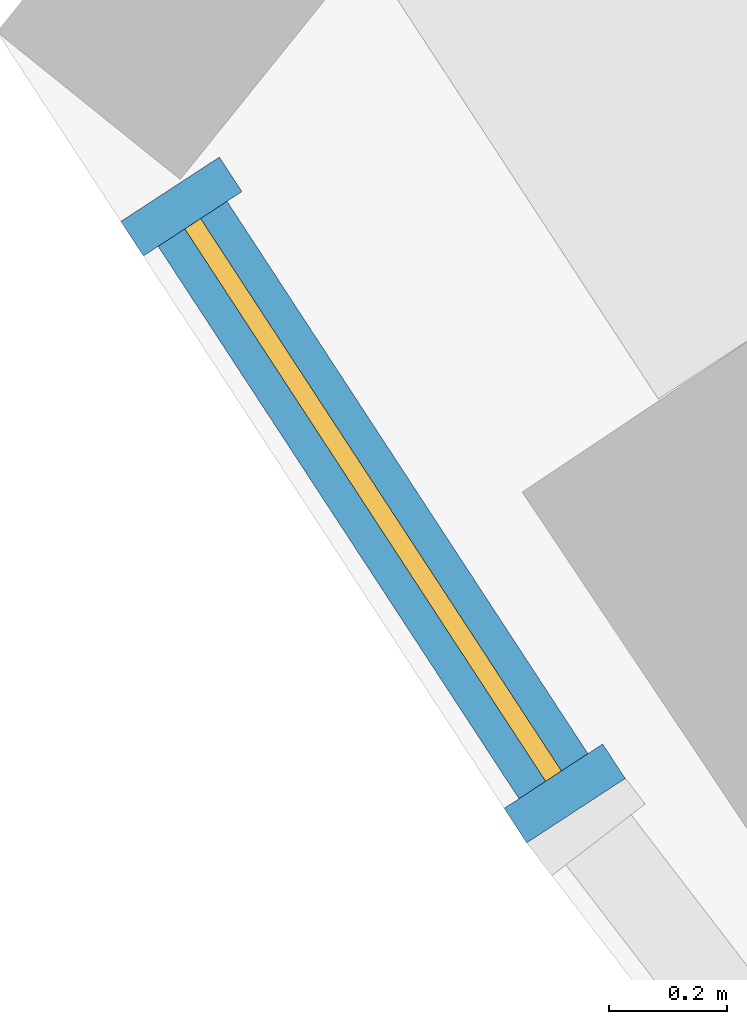
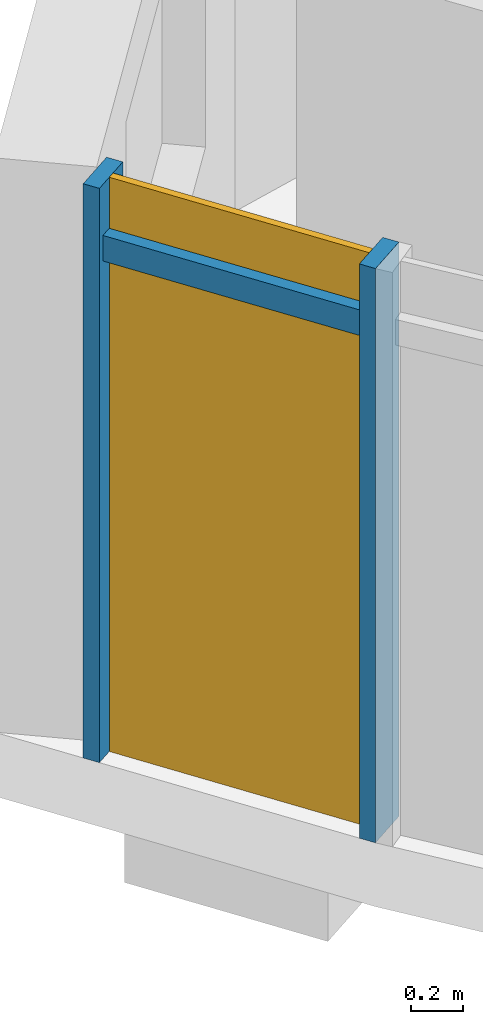
# One storey, part 18 of 30: 3 members, 1 curtain wall.
"""IFC4 building model written with IfcOpenShell, lengths in metres."""

import ifcopenshell
import ifcopenshell.guid

model = None  # the IFC model being written
_history = None  # IfcOwnerHistory: only IFC2X3 demands one
_inside = {}  # id of a spatial element -> (the spatial element, [elements in it])
_under = {}  # id of a project, library or spatial element -> (it, [spatial elements below it])
_declared = {}  # id of a project -> (the project, [libraries it declares])
_typed = {}  # id of a type object -> (the type object, [elements of that type])
_made_of = {}  # id of a material, layer set ... -> (it, [elements and type objects made of it])


def new_model(schema):
    """Start an empty IFC model of exactly this schema.

    Asked for "IFC4X3", IfcOpenShell would pick the latest addendum, in which some entities
    have other attributes; the version numbers below select the first issue.
    IFC2X3 requires an IfcOwnerHistory on every rooted entity: one is made here for all.
    """
    global model, _history
    if schema == "IFC4X3":
        model = ifcopenshell.file(schema_version=(4, 3, 0, 0))
    else:
        model = ifcopenshell.file(schema=schema)
    _inside.clear()
    _under.clear()
    _declared.clear()
    _typed.clear()
    _made_of.clear()
    _history = None
    if model.schema == "IFC2X3":
        org = make("IfcOrganization", Name="unknown")
        user = make(
            "IfcPersonAndOrganization",
            ThePerson=make("IfcPerson", FamilyName="unknown"),
            TheOrganization=org,
        )
        app = make(
            "IfcApplication",
            ApplicationDeveloper=org,
            Version="unknown",
            ApplicationFullName="unknown",
            ApplicationIdentifier="unknown",
        )
        _history = make(
            "IfcOwnerHistory",
            OwningUser=user,
            OwningApplication=app,
            ChangeAction="ADDED",
            CreationDate=0,
        )
    return model


def make(cls, **values):
    """One entity of the class cls with the attributes given. An attribute that is None is left unset."""
    return model.create_entity(
        cls, **{name: value for name, value in values.items() if value is not None}
    )


def rooted(cls, **values):
    """An entity with a GlobalId (a new one), such as an element, a storey or a relation."""
    return make(cls, GlobalId=ifcopenshell.guid.new(), OwnerHistory=_history, **values)


def si_unit(unit_type, name, prefix=None):
    """IfcSIUnit, for example si_unit("LENGTHUNIT", "METRE", prefix="MILLI")."""
    return make("IfcSIUnit", UnitType=unit_type, Prefix=prefix, Name=name)


def assignment(units):
    """IfcUnitAssignment: the units of a project."""
    return None if units is None else make("IfcUnitAssignment", Units=units)


def point(xyz):
    """IfcCartesianPoint."""
    return None if xyz is None else make("IfcCartesianPoint", Coordinates=xyz)


def direction(xyz):
    """IfcDirection."""
    return None if xyz is None else make("IfcDirection", DirectionRatios=xyz)


def frame(location, z_axis=None, x_axis=None):
    """IfcAxis2Placement3D, a coordinate frame: its origin and axes. An axis left out is left unset."""
    return make(
        "IfcAxis2Placement3D",
        Location=point(location),
        Axis=direction(z_axis),
        RefDirection=direction(x_axis),
    )


def frame_2d(location, x_axis=None):
    """IfcAxis2Placement2D, a coordinate frame in the plane: its origin and x axis."""
    return make(
        "IfcAxis2Placement2D", Location=point(location), RefDirection=direction(x_axis)
    )


def origin():
    """The frame at (0, 0, 0) with its axes left unset."""
    return frame((0.0, 0.0, 0.0))


def origin_2d():
    """The frame at (0, 0) in the plane with its x axis left unset."""
    return frame_2d((0.0, 0.0))


def place(relative_to, where):
    """IfcLocalPlacement: puts the frame where relative to a parent placement (None: the world)."""
    return make(
        "IfcLocalPlacement", PlacementRelTo=relative_to, RelativePlacement=where
    )


def context(
    kind, dimensions, precision=None, world=None, true_north=None, identifier=None
):
    """IfcGeometricRepresentationContext, for example the 3D "Model" context."""
    return make(
        "IfcGeometricRepresentationContext",
        ContextIdentifier=identifier,
        ContextType=kind,
        CoordinateSpaceDimension=dimensions,
        Precision=precision,
        WorldCoordinateSystem=world,
        TrueNorth=true_north,
    )


def subcontext(parent, identifier, kind, view, scale=None):
    """IfcGeometricRepresentationSubContext, for example "Body" below "Model"."""
    return make(
        "IfcGeometricRepresentationSubContext",
        ContextIdentifier=identifier,
        ContextType=kind,
        ParentContext=parent,
        TargetScale=scale,
        TargetView=view,
    )


def project(units=None, contexts=None):
    """IfcProject with its units and contexts."""
    return rooted(
        "IfcProject",
        Name="project",
        RepresentationContexts=contexts,
        UnitsInContext=assignment(units),
    )


def spatial(cls, under=None, at=None, **own):
    """A site, building, storey or space (cls), placed at a placement, below another one or the project."""
    s = rooted(cls, ObjectPlacement=at, **own)
    if under is not None:
        _under.setdefault(under.id(), (under, []))[1].append(s)
    return s


def profile(cls, at=None, kind="AREA", **sizes):
    """A parametric profile (cls). Its sizes go by their IFC names, for example OverallWidth=200.0."""
    return make(cls, ProfileType=kind, Position=at, **sizes)


def rectangle(**sizes):
    """IfcRectangleProfileDef."""
    return profile("IfcRectangleProfileDef", **sizes)


def extrude(swept, where, along, depth):
    """IfcExtrudedAreaSolid: the profile swept, set in the frame where, extruded along a direction by depth."""
    return make(
        "IfcExtrudedAreaSolid",
        SweptArea=swept,
        Position=where,
        ExtrudedDirection=direction(along),
        Depth=depth,
    )


def shape(context_of_items, identifier, shape_type, items):
    """IfcShapeRepresentation: the items that make up one representation, for example the "Body"."""
    return make(
        "IfcShapeRepresentation",
        ContextOfItems=context_of_items,
        RepresentationIdentifier=identifier,
        RepresentationType=shape_type,
        Items=items,
    )


def material(Name=None, Category=None):
    """IfcMaterial."""
    return make("IfcMaterial", Name=Name, Category=Category)


def material_profile(
    of_material, cross_section, Name=None, Category=None, Priority=None
):
    """IfcMaterialProfile: a cross section and its material."""
    return make(
        "IfcMaterialProfile",
        Name=Name,
        Material=of_material,
        Profile=cross_section,
        Priority=Priority,
        Category=Category,
    )


def profile_set(profiles, Name=None, composite=None):
    """IfcMaterialProfileSet."""
    return make(
        "IfcMaterialProfileSet",
        Name=Name,
        MaterialProfiles=profiles,
        CompositeProfile=composite,
    )


def made_of(thing, what):
    """Note that an element or type object is made of a material, layer set ...; save() writes the relation."""
    if what is not None:
        _made_of.setdefault(what.id(), (what, []))[1].append(thing)
    return thing


def type_object(cls, material=None, **own):
    """A type object (cls), such as IfcWallType, which elements share."""
    return made_of(rooted(cls, **own), material)


def element(
    cls,
    number,
    at=None,
    inside=None,
    cuts=None,
    type_object=None,
    material=None,
    context=None,
    identifier="Body",
    shape_type=None,
    held_by="IfcProductDefinitionShape",
    body=None,
    shapes=None,
    **own,
):
    """One element of the class cls, such as IfcWall. Its Tag is "e" and its number.

    at: its placement. inside: the storey or other place that contains it. cuts: it is an
    opening in that element (IfcRelVoidsElement). A single representation is given by context,
    identifier, shape_type and body (its items); several are given by shapes. held_by: the class
    of the entity that holds the representations. save() writes the other relations.
    """
    e = rooted(cls, Tag="e%d" % number, ObjectPlacement=at, **own)
    if body is not None:
        shapes = [shape(context, identifier, shape_type, body)]
    if shapes is not None:
        e.Representation = make(held_by, Representations=shapes)
    if inside is not None:
        _inside.setdefault(inside.id(), (inside, []))[1].append(e)
    if cuts is not None:
        rooted(
            "IfcRelVoidsElement", RelatingBuildingElement=cuts, RelatedOpeningElement=e
        )
    if type_object is not None:
        _typed.setdefault(type_object.id(), (type_object, []))[1].append(e)
    return made_of(e, material)


def aggregate(whole, parts):
    """IfcRelAggregates: a whole, such as a stair, and the parts it consists of."""
    return rooted("IfcRelAggregates", RelatingObject=whole, RelatedObjects=parts)


def save(model, path):
    """Write the relations noted so far, then the file.

    IfcRelAggregates (storeys below a building ...), IfcRelContainedInSpatialStructure (elements
    in a storey), IfcRelDefinesByType, IfcRelAssociatesMaterial and IfcRelDeclares: one each for
    every whole, place, type object, material and project.
    """
    for whole, parts in _under.values():
        aggregate(whole, parts)
    for where, things in _inside.values():
        rooted(
            "IfcRelContainedInSpatialStructure",
            RelatedElements=things,
            RelatingStructure=where,
        )
    for kind, things in _typed.values():
        rooted("IfcRelDefinesByType", RelatedObjects=things, RelatingType=kind)
    for what, things in _made_of.values():
        rooted("IfcRelAssociatesMaterial", RelatedObjects=things, RelatingMaterial=what)
    for by, libraries in _declared.values():
        rooted("IfcRelDeclares", RelatingContext=by, RelatedDefinitions=libraries)
    model.write(path)


model = new_model("IFC4")

# Units and contexts
model_context = context("Model", 3, precision=1e-05, world=origin(), true_north=direction((0.0, 1.0)))
body_context = subcontext(model_context, "Body", "Model", "MODEL_VIEW")
ifc_project = project(units=[si_unit("LENGTHUNIT", "METRE"), si_unit("AREAUNIT", "SQUARE_METRE"), si_unit("VOLUMEUNIT", "CUBIC_METRE"), si_unit("PLANEANGLEUNIT", "RADIAN"), si_unit("MASSUNIT", "GRAM", prefix="KILO")], contexts=[model_context])

# Member
ifc_material = material(Name="Aluminium 6063-T6 anodised", Category="aluminium")
ifc_material_profile_1 = material_profile(ifc_material, rectangle(XDim=0.199951171875, YDim=0.070068359375, at=origin_2d()))
ifc_profile_set_1 = profile_set([ifc_material_profile_1], Name="Aluminium 6063-T6 anodised")
member_type_1 = type_object("IfcMemberType", Name="Mullion 70 x 200 aluminium", PredefinedType="MULLION", material=ifc_profile_set_1)
site_placement = place(None, origin())
building_placement = place(site_placement, origin())
storey_placement = place(building_placement, frame((0.0, 0.0, 203.699951171875)))
member_1_placement = place(storey_placement, frame((-65.982421875, -42.613525390625, 0.0), z_axis=(0.0, 0.0, 1.0), x_axis=(0.837241833838, 0.546832800472, 0.0)))
member_1 = element("IfcMember", 1, at=member_1_placement, type_object=member_type_1, Name="e-cw1-L48-out00/M00", PredefinedType="MULLION", context=body_context, shape_type="SweptSolid", body=[
    extrude(rectangle(XDim=0.199951171875, YDim=0.070068359375, at=origin_2d()), origin(), (0.0, 0.0, 1.0), 2.699951171875),
])

member_2_placement = place(storey_placement, frame((-65.33056640625, -43.611572265625, 0.0), z_axis=(0.0, 0.0, 1.0), x_axis=(0.837241833838, 0.546832800472, 0.0)))
member_2 = element("IfcMember", 2, at=member_2_placement, type_object=member_type_1, Name="e-cw1-L48-out00/M01", PredefinedType="MULLION", context=body_context, shape_type="SweptSolid", body=[
    extrude(rectangle(XDim=0.199951171875, YDim=0.070068359375, at=origin_2d()), origin(), (0.0, 0.0, 1.0), 2.699951171875),
])

ifc_material_profile_2 = material_profile(ifc_material, rectangle(XDim=0.139892578125, YDim=0.1201171875, at=origin_2d()))
ifc_profile_set_2 = profile_set([ifc_material_profile_2], Name="Aluminium 6063-T6 anodised")
member_type_2 = type_object("IfcMemberType", Name="Transom 120 x 140 aluminium", PredefinedType="USERDEFINED", material=ifc_profile_set_2)
member_3_placement = place(storey_placement, frame((-65.96337890625, -42.642822265625, 2.400146484375), z_axis=(0.546944517978, -0.837168856476, 0.0), x_axis=(0.837168856476, 0.546944517978, 0.0)))
member_3 = element("IfcMember", 3, at=member_3_placement, type_object=member_type_2, Name="e-cw1-L48-out00/T00", ObjectType="TRANSOM", PredefinedType="USERDEFINED", context=body_context, shape_type="SweptSolid", body=[
    extrude(rectangle(XDim=0.139892578125, YDim=0.1201171875, at=origin_2d()), origin(), (0.0, 0.0, 1.0), 1.1220703125),
])

# Site, building, storey
site = spatial("IfcSite", under=ifc_project, at=site_placement, CompositionType="ELEMENT")
building = spatial("IfcBuilding", under=site, at=building_placement, Name="Qamariyya Broadcast Tower", CompositionType="ELEMENT")
storey = spatial("IfcBuildingStorey", under=building, at=storey_placement, Name="L48", CompositionType="ELEMENT", Elevation=203.699951171875)

# Curtain wall
curtain_wall_type = type_object("IfcCurtainWallType", Name="Unitised curtain wall, anodised aluminium", PredefinedType="NOTDEFINED", material=ifc_material)
curtain_wall_placement = place(storey_placement, origin())
curtain_wall = element("IfcCurtainWall", 4, at=curtain_wall_placement, inside=storey, type_object=curtain_wall_type, Name="e-cw1-L48-out00", PredefinedType="NOTDEFINED", context=body_context, shape_type="SweptSolid", body=[
    extrude(rectangle(XDim=1.1220703125, YDim=0.031982421875, at=origin_2d()), frame((-65.65625, -43.112548828125, 0.0), x_axis=(0.546863621451, -0.837221702737, 0.0)), (0.0, 0.0, 1.0), 2.340087890625),
    extrude(rectangle(XDim=1.1220703125, YDim=0.031982421875, at=origin_2d()), frame((-65.65625, -43.112548828125, 2.4599609375), x_axis=(0.546863621451, -0.837221702737, 0.0)), (0.0, 0.0, 1.0), 0.239990234375),
])

aggregate(curtain_wall, [member_1, member_2, member_3])

save(model, "model.ifc")
